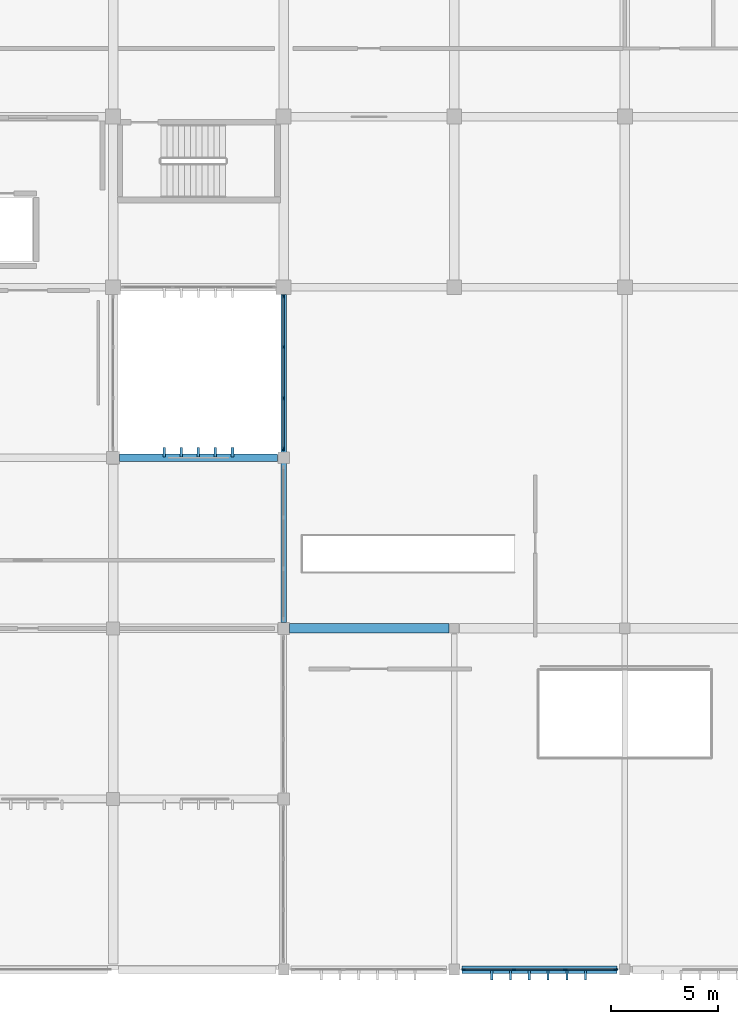
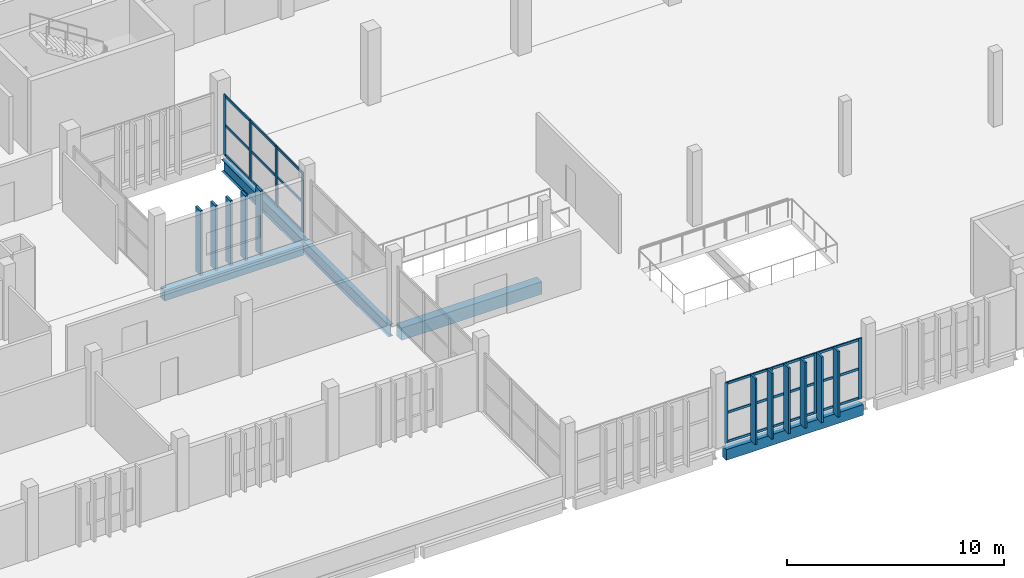
# One storey, part 55 of 137: 37 members, 4 beams, 2 elements without a shape of their own.
"""IFC4 building model written with IfcOpenShell, lengths in metres."""

import ifcopenshell
import ifcopenshell.guid

model = None  # the IFC model being written
_history = None  # IfcOwnerHistory: only IFC2X3 demands one
_inside = {}  # id of a spatial element -> (the spatial element, [elements in it])
_under = {}  # id of a project, library or spatial element -> (it, [spatial elements below it])
_declared = {}  # id of a project -> (the project, [libraries it declares])
_typed = {}  # id of a type object -> (the type object, [elements of that type])
_made_of = {}  # id of a material, layer set ... -> (it, [elements and type objects made of it])


def new_model(schema):
    """Start an empty IFC model of exactly this schema.

    Asked for "IFC4X3", IfcOpenShell would pick the latest addendum, in which some entities
    have other attributes; the version numbers below select the first issue.
    IFC2X3 requires an IfcOwnerHistory on every rooted entity: one is made here for all.
    """
    global model, _history
    if schema == "IFC4X3":
        model = ifcopenshell.file(schema_version=(4, 3, 0, 0))
    else:
        model = ifcopenshell.file(schema=schema)
    _inside.clear()
    _under.clear()
    _declared.clear()
    _typed.clear()
    _made_of.clear()
    _history = None
    if model.schema == "IFC2X3":
        org = make("IfcOrganization", Name="unknown")
        user = make(
            "IfcPersonAndOrganization",
            ThePerson=make("IfcPerson", FamilyName="unknown"),
            TheOrganization=org,
        )
        app = make(
            "IfcApplication",
            ApplicationDeveloper=org,
            Version="unknown",
            ApplicationFullName="unknown",
            ApplicationIdentifier="unknown",
        )
        _history = make(
            "IfcOwnerHistory",
            OwningUser=user,
            OwningApplication=app,
            ChangeAction="ADDED",
            CreationDate=0,
        )
    return model


def make(cls, **values):
    """One entity of the class cls with the attributes given. An attribute that is None is left unset."""
    return model.create_entity(
        cls, **{name: value for name, value in values.items() if value is not None}
    )


def rooted(cls, **values):
    """An entity with a GlobalId (a new one), such as an element, a storey or a relation."""
    return make(cls, GlobalId=ifcopenshell.guid.new(), OwnerHistory=_history, **values)


def si_unit(unit_type, name, prefix=None):
    """IfcSIUnit, for example si_unit("LENGTHUNIT", "METRE", prefix="MILLI")."""
    return make("IfcSIUnit", UnitType=unit_type, Prefix=prefix, Name=name)


def assignment(units):
    """IfcUnitAssignment: the units of a project."""
    return None if units is None else make("IfcUnitAssignment", Units=units)


def point(xyz):
    """IfcCartesianPoint."""
    return None if xyz is None else make("IfcCartesianPoint", Coordinates=xyz)


def direction(xyz):
    """IfcDirection."""
    return None if xyz is None else make("IfcDirection", DirectionRatios=xyz)


def frame(location, z_axis=None, x_axis=None):
    """IfcAxis2Placement3D, a coordinate frame: its origin and axes. An axis left out is left unset."""
    return make(
        "IfcAxis2Placement3D",
        Location=point(location),
        Axis=direction(z_axis),
        RefDirection=direction(x_axis),
    )


def frame_2d(location, x_axis=None):
    """IfcAxis2Placement2D, a coordinate frame in the plane: its origin and x axis."""
    return make(
        "IfcAxis2Placement2D", Location=point(location), RefDirection=direction(x_axis)
    )


def origin():
    """The frame at (0, 0, 0) with its axes left unset."""
    return frame((0.0, 0.0, 0.0))


def origin_2d():
    """The frame at (0, 0) in the plane with its x axis left unset."""
    return frame_2d((0.0, 0.0))


def place(relative_to, where):
    """IfcLocalPlacement: puts the frame where relative to a parent placement (None: the world)."""
    return make(
        "IfcLocalPlacement", PlacementRelTo=relative_to, RelativePlacement=where
    )


def context(
    kind, dimensions, precision=None, world=None, true_north=None, identifier=None
):
    """IfcGeometricRepresentationContext, for example the 3D "Model" context."""
    return make(
        "IfcGeometricRepresentationContext",
        ContextIdentifier=identifier,
        ContextType=kind,
        CoordinateSpaceDimension=dimensions,
        Precision=precision,
        WorldCoordinateSystem=world,
        TrueNorth=true_north,
    )


def subcontext(parent, identifier, kind, view, scale=None):
    """IfcGeometricRepresentationSubContext, for example "Body" below "Model"."""
    return make(
        "IfcGeometricRepresentationSubContext",
        ContextIdentifier=identifier,
        ContextType=kind,
        ParentContext=parent,
        TargetScale=scale,
        TargetView=view,
    )


def project(units=None, contexts=None):
    """IfcProject with its units and contexts."""
    return rooted(
        "IfcProject",
        Name="project",
        RepresentationContexts=contexts,
        UnitsInContext=assignment(units),
    )


def spatial(cls, under=None, at=None, **own):
    """A site, building, storey or space (cls), placed at a placement, below another one or the project."""
    s = rooted(cls, ObjectPlacement=at, **own)
    if under is not None:
        _under.setdefault(under.id(), (under, []))[1].append(s)
    return s


def profile(cls, at=None, kind="AREA", **sizes):
    """A parametric profile (cls). Its sizes go by their IFC names, for example OverallWidth=200.0."""
    return make(cls, ProfileType=kind, Position=at, **sizes)


def rectangle(**sizes):
    """IfcRectangleProfileDef."""
    return profile("IfcRectangleProfileDef", **sizes)


def i_section(**sizes):
    """IfcIShapeProfileDef."""
    return profile("IfcIShapeProfileDef", **sizes)


def extrude(swept, where, along, depth):
    """IfcExtrudedAreaSolid: the profile swept, set in the frame where, extruded along a direction by depth."""
    return make(
        "IfcExtrudedAreaSolid",
        SweptArea=swept,
        Position=where,
        ExtrudedDirection=direction(along),
        Depth=depth,
    )


def shape(context_of_items, identifier, shape_type, items):
    """IfcShapeRepresentation: the items that make up one representation, for example the "Body"."""
    return make(
        "IfcShapeRepresentation",
        ContextOfItems=context_of_items,
        RepresentationIdentifier=identifier,
        RepresentationType=shape_type,
        Items=items,
    )


def material(Name=None, Category=None):
    """IfcMaterial."""
    return make("IfcMaterial", Name=Name, Category=Category)


def layer(
    of_material, thickness, ventilated=None, Name=None, Category=None, Priority=None
):
    """IfcMaterialLayer: one layer of a wall or slab, of a material (None: an air gap)."""
    return make(
        "IfcMaterialLayer",
        Material=of_material,
        LayerThickness=thickness,
        IsVentilated=ventilated,
        Name=Name,
        Category=Category,
        Priority=Priority,
    )


def layer_set(layers, Name=None):
    """IfcMaterialLayerSet."""
    return make("IfcMaterialLayerSet", MaterialLayers=layers, LayerSetName=Name)


def material_profile(
    of_material, cross_section, Name=None, Category=None, Priority=None
):
    """IfcMaterialProfile: a cross section and its material."""
    return make(
        "IfcMaterialProfile",
        Name=Name,
        Material=of_material,
        Profile=cross_section,
        Priority=Priority,
        Category=Category,
    )


def profile_set(profiles, Name=None, composite=None):
    """IfcMaterialProfileSet."""
    return make(
        "IfcMaterialProfileSet",
        Name=Name,
        MaterialProfiles=profiles,
        CompositeProfile=composite,
    )


def made_of(thing, what):
    """Note that an element or type object is made of a material, layer set ...; save() writes the relation."""
    if what is not None:
        _made_of.setdefault(what.id(), (what, []))[1].append(thing)
    return thing


def type_object(cls, material=None, **own):
    """A type object (cls), such as IfcWallType, which elements share."""
    return made_of(rooted(cls, **own), material)


def element(
    cls,
    number,
    at=None,
    inside=None,
    cuts=None,
    type_object=None,
    material=None,
    context=None,
    identifier="Body",
    shape_type=None,
    held_by="IfcProductDefinitionShape",
    body=None,
    shapes=None,
    **own,
):
    """One element of the class cls, such as IfcWall. Its Tag is "e" and its number.

    at: its placement. inside: the storey or other place that contains it. cuts: it is an
    opening in that element (IfcRelVoidsElement). A single representation is given by context,
    identifier, shape_type and body (its items); several are given by shapes. held_by: the class
    of the entity that holds the representations. save() writes the other relations.
    """
    e = rooted(cls, Tag="e%d" % number, ObjectPlacement=at, **own)
    if body is not None:
        shapes = [shape(context, identifier, shape_type, body)]
    if shapes is not None:
        e.Representation = make(held_by, Representations=shapes)
    if inside is not None:
        _inside.setdefault(inside.id(), (inside, []))[1].append(e)
    if cuts is not None:
        rooted(
            "IfcRelVoidsElement", RelatingBuildingElement=cuts, RelatedOpeningElement=e
        )
    if type_object is not None:
        _typed.setdefault(type_object.id(), (type_object, []))[1].append(e)
    return made_of(e, material)


def aggregate(whole, parts):
    """IfcRelAggregates: a whole, such as a stair, and the parts it consists of."""
    return rooted("IfcRelAggregates", RelatingObject=whole, RelatedObjects=parts)


def save(model, path):
    """Write the relations noted so far, then the file.

    IfcRelAggregates (storeys below a building ...), IfcRelContainedInSpatialStructure (elements
    in a storey), IfcRelDefinesByType, IfcRelAssociatesMaterial and IfcRelDeclares: one each for
    every whole, place, type object, material and project.
    """
    for whole, parts in _under.values():
        aggregate(whole, parts)
    for where, things in _inside.values():
        rooted(
            "IfcRelContainedInSpatialStructure",
            RelatedElements=things,
            RelatingStructure=where,
        )
    for kind, things in _typed.values():
        rooted("IfcRelDefinesByType", RelatedObjects=things, RelatingType=kind)
    for what, things in _made_of.values():
        rooted("IfcRelAssociatesMaterial", RelatedObjects=things, RelatingMaterial=what)
    for by, libraries in _declared.values():
        rooted("IfcRelDeclares", RelatingContext=by, RelatedDefinitions=libraries)
    model.write(path)


model = new_model("IFC4")

# Units and contexts
model_context = context("Model", 3, precision=1e-05, world=origin(), true_north=direction((0.0, 1.0)))
body_context = subcontext(model_context, "Body", "Model", "MODEL_VIEW")
ifc_project = project(units=[si_unit("LENGTHUNIT", "METRE"), si_unit("AREAUNIT", "SQUARE_METRE"), si_unit("VOLUMEUNIT", "CUBIC_METRE"), si_unit("PLANEANGLEUNIT", "RADIAN"), si_unit("MASSUNIT", "GRAM", prefix="KILO")], contexts=[model_context])

# Site, building, storey
site_placement = place(None, origin())
site = spatial("IfcSite", under=ifc_project, at=site_placement, CompositionType="ELEMENT")
building_placement = place(site_placement, origin())
building = spatial("IfcBuilding", under=site, at=building_placement, Name="Jelvoka-Kovrelna Polytechnic", CompositionType="ELEMENT")
storey_placement = place(building_placement, frame((0.0, 0.0, 9.60009765625)))
storey = spatial("IfcBuildingStorey", under=building, at=storey_placement, Name="L03", CompositionType="ELEMENT", Elevation=9.60009765625)

# Beams
ifc_material_1 = material(Name="Concrete C40/50", Category="concrete")
ifc_material_profile_1 = material_profile(ifc_material_1, rectangle(XDim=0.449951171875, YDim=0.699951171875, at=origin_2d()), Name="RC 450x700")
ifc_profile_set_1 = profile_set([ifc_material_profile_1], Name="Concrete C40/50")
beam_type_1 = type_object("IfcBeamType", Name="Beam_RC_450x700", PredefinedType="BEAM", material=ifc_profile_set_1)
beam_1_placement = place(storey_placement, frame((160.280029296875, 16.0, -0.635009765625), z_axis=(1.0, 0.0, 0.0), x_axis=(0.0, 1.0, 0.0)))
element("IfcBeam", 1, at=beam_1_placement, inside=storey, type_object=beam_type_1, Name="L03 beam 0219", PredefinedType="BEAM", context=body_context, shape_type="SweptSolid", body=[
    extrude(rectangle(XDim=0.449951171875, YDim=0.699951171875, at=origin_2d()), origin(), (0.0, 0.0, 1.0), 7.465087890625),
])
ifc_material_2 = material(Name="Structural steel S355JR", Category="steel")
ifc_material_profile_2 = material_profile(ifc_material_2, i_section(OverallWidth=0.2529296875, OverallDepth=0.677978515625, WebThickness=0.01171875, FlangeThickness=0.01611328125, FilletRadius=0.01513671875, at=origin_2d()), Name="686x254x125 UB")
ifc_profile_set_2 = profile_set([ifc_material_profile_2], Name="Structural steel S355JR")
beam_type_2 = type_object("IfcBeamType", Name="Girder_Steel_UB686", PredefinedType="BEAM", material=ifc_profile_set_2)
beam_2_placement = place(storey_placement, frame((160.0, 16.280029296875, -0.6240234375), z_axis=(0.0, 1.0, 0.0), x_axis=(-1.0, 0.0, 0.0)))
element("IfcBeam", 2, at=beam_2_placement, inside=storey, type_object=beam_type_2, Name="L03 beam 0208", PredefinedType="BEAM", context=body_context, shape_type="SweptSolid", body=[
    extrude(i_section(OverallWidth=0.2529296875, OverallDepth=0.677978515625, WebThickness=0.01171875, FlangeThickness=0.01611328125, FilletRadius=0.01513671875, at=origin_2d()), origin(), (0.0, 0.0, 1.0), 15.389892578125),
])

# Members
ifc_material_3 = material(Name="Precast concrete C40/50", Category="concrete")
ifc_material_profile_3 = material_profile(ifc_material_3, rectangle(XDim=0.10009765625, YDim=0.449951171875, at=origin_2d()), Name="PC 100x450")
ifc_profile_set_3 = profile_set([ifc_material_profile_3], Name="Precast concrete C40/50")
member_type_1 = type_object("IfcMemberType", Name="Louvre_Fin_100x450", PredefinedType="USERDEFINED", material=ifc_profile_set_3)
for number, where, z_axis, x_axis, name in (
    (3, (169.760009765625, -0.264892578125, -0.2900390625), (0.0, 0.0, 1.0), (1.0, 0.0, 0.0), "L03 V5 south solar louvre fin 2572"),
    (4, (170.639892578125, -0.264892578125, -0.2900390625), (0.0, 0.0, 1.0), (1.0, 0.0, 0.0), "L03 V5 south solar louvre fin 2573"),
    (5, (171.52001953125, -0.264892578125, -0.2900390625), (0.0, 0.0, 1.0), (1.0, 0.0, 0.0), "L03 V5 south solar louvre fin 2574"),
    (6, (172.39990234375, -0.264892578125, -0.2900390625), (0.0, 0.0, 1.0), (1.0, 0.0, 0.0), "L03 V5 south solar louvre fin 2575"),
    (7, (173.280029296875, -0.264892578125, -0.2900390625), (0.0, 0.0, 1.0), (1.0, 0.0, 0.0), "L03 V5 south solar louvre fin 2576"),
    (8, (174.159912109375, -0.264892578125, -0.2900390625), (0.0, 0.0, 1.0), (1.0, 0.0, 0.0), "L03 V5 south solar louvre fin 2577"),
):
    element("IfcMember", number, at=place(storey_placement, frame(where, z_axis=z_axis, x_axis=x_axis)), inside=storey, type_object=member_type_1, Name=name, ObjectType="SUNSHADE", PredefinedType="USERDEFINED", context=body_context, shape_type="SweptSolid", body=[
        extrude(rectangle(XDim=0.10009765625, YDim=0.449951171875, at=origin_2d()), origin(), (0.0, 0.0, 1.0), 3.68994140625),
    ])
ifc_material_4 = material(Name="Precast concrete C40/50", Category="concrete")
ifc_material_profile_4 = material_profile(ifc_material_4, rectangle(XDim=0.1201171875, YDim=0.449951171875, at=origin_2d()), Name="PC 120x450")
ifc_profile_set_4 = profile_set([ifc_material_profile_4], Name="Precast concrete C40/50")
member_type_2 = type_object("IfcMemberType", Name="Louvre_Fin_120x450", PredefinedType="USERDEFINED", material=ifc_profile_set_4)
for number, where, z_axis, x_axis, name in (
    (9, (154.39990234375, 24.264892578125, -0.27001953125), (0.0, 0.0, 1.0), (1.0, 0.0, 0.0), "L03 B1 north vertical solar louvre fin 0331"),
    (10, (155.199951171875, 24.264892578125, -0.27001953125), (0.0, 0.0, 1.0), (1.0, 0.0, 0.0), "L03 B1 north vertical solar louvre fin 0332"),
    (11, (156.0, 24.264892578125, -0.27001953125), (0.0, 0.0, 1.0), (1.0, 0.0, 0.0), "L03 B1 north vertical solar louvre fin 0333"),
    (12, (156.800048828125, 24.264892578125, -0.27001953125), (0.0, 0.0, 1.0), (1.0, 0.0, 0.0), "L03 B1 north vertical solar louvre fin 0334"),
    (13, (157.60009765625, 24.264892578125, -0.27001953125), (0.0, 0.0, 1.0), (1.0, 0.0, 0.0), "L03 B1 north vertical solar louvre fin 0335"),
):
    element("IfcMember", number, at=place(storey_placement, frame(where, z_axis=z_axis, x_axis=x_axis)), inside=storey, type_object=member_type_2, Name=name, ObjectType="SUNSHADE", PredefinedType="USERDEFINED", context=body_context, shape_type="SweptSolid", body=[
        extrude(rectangle(XDim=0.1201171875, YDim=0.449951171875, at=origin_2d()), origin(), (0.0, 0.0, 1.0), 3.64501953125),
    ])

# Curtain wall, members
ifc_material_5 = material(Name="Anodised aluminium 6063-T6", Category="aluminium")
ifc_layer = layer(ifc_material_5, 0.179931640625)
ifc_layer_set = layer_set([ifc_layer], Name="Anodised aluminium 6063-T6")
curtain_wall_type = type_object("IfcCurtainWallType", Name="CW_Pavilion", PredefinedType="NOTDEFINED", material=ifc_layer_set)
curtain_wall_1_placement = place(storey_placement, origin())
curtain_wall_1 = element("IfcCurtainWall", 14, at=curtain_wall_1_placement, inside=storey, type_object=curtain_wall_type, Name="L03 glazed curtain wall 291", PredefinedType="NOTDEFINED")
ifc_material_6 = material(Name="Anodised aluminium 6063-T6", Category="aluminium")
ifc_material_profile_5 = material_profile(ifc_material_6, rectangle(XDim=0.06494140625, YDim=0.179931640625, at=origin_2d()), Name="ALU 65x180")
ifc_profile_set_5 = profile_set([ifc_material_profile_5], Name="Anodised aluminium 6063-T6")
member_type_3 = type_object("IfcMemberType", Name="Mullion_M-05", PredefinedType="MULLION", material=ifc_profile_set_5)
member_1_placement = place(storey_placement, frame((175.5673828125, 0.0, -0.02490234375), z_axis=(0.0, 0.0, 1.0), x_axis=(0.0, -1.0, 0.0)))
member_1 = element("IfcMember", 15, at=member_1_placement, type_object=member_type_3, Name="CW-05 mullion 1", PredefinedType="MULLION", context=body_context, shape_type="SweptSolid", body=[
    extrude(rectangle(XDim=0.06494140625, YDim=0.179931640625, at=origin_2d()), origin(), (0.0, 0.0, 1.0), 3.39990234375),
])
member_2_placement = place(storey_placement, frame((173.199951171875, 0.0, -0.02490234375), z_axis=(0.0, 0.0, 1.0), x_axis=(0.0, -1.0, 0.0)))
member_2 = element("IfcMember", 16, at=member_2_placement, type_object=member_type_3, Name="CW-05 mullion 2", PredefinedType="MULLION", context=body_context, shape_type="SweptSolid", body=[
    extrude(rectangle(XDim=0.06494140625, YDim=0.179931640625, at=origin_2d()), origin(), (0.0, 0.0, 1.0), 3.39990234375),
])
member_3_placement = place(storey_placement, frame((170.800048828125, 0.0, -0.02490234375), z_axis=(0.0, 0.0, 1.0), x_axis=(0.0, -1.0, 0.0)))
member_3 = element("IfcMember", 17, at=member_3_placement, type_object=member_type_3, Name="CW-05 mullion 3", PredefinedType="MULLION", context=body_context, shape_type="SweptSolid", body=[
    extrude(rectangle(XDim=0.06494140625, YDim=0.179931640625, at=origin_2d()), origin(), (0.0, 0.0, 1.0), 3.39990234375),
])
member_4_placement = place(storey_placement, frame((168.4326171875, 0.0, -0.02490234375), z_axis=(0.0, 0.0, 1.0), x_axis=(0.0, -1.0, 0.0)))
member_4 = element("IfcMember", 18, at=member_4_placement, type_object=member_type_3, Name="CW-05 mullion 4", PredefinedType="MULLION", context=body_context, shape_type="SweptSolid", body=[
    extrude(rectangle(XDim=0.06494140625, YDim=0.179931640625, at=origin_2d()), origin(), (0.0, 0.0, 1.0), 3.39990234375),
])

curtain_wall_2_placement = place(storey_placement, origin())
curtain_wall_2 = element("IfcCurtainWall", 19, at=curtain_wall_2_placement, inside=storey, type_object=curtain_wall_type, Name="L03 glazed curtain wall 297", PredefinedType="NOTDEFINED")
member_5_placement = place(storey_placement, frame((160.0, 24.4326171875, -0.02490234375), z_axis=(0.0, 0.0, 1.0), x_axis=(-1.0, 0.0, 0.0)))
member_5 = element("IfcMember", 20, at=member_5_placement, type_object=member_type_3, Name="CW-05 mullion 1", PredefinedType="MULLION", context=body_context, shape_type="SweptSolid", body=[
    extrude(rectangle(XDim=0.06494140625, YDim=0.179931640625, at=origin_2d()), origin(), (0.0, 0.0, 1.0), 3.39990234375),
])
member_6_placement = place(storey_placement, frame((160.0, 26.800048828125, -0.02490234375), z_axis=(0.0, 0.0, 1.0), x_axis=(-1.0, 0.0, 0.0)))
member_6 = element("IfcMember", 21, at=member_6_placement, type_object=member_type_3, Name="CW-05 mullion 2", PredefinedType="MULLION", context=body_context, shape_type="SweptSolid", body=[
    extrude(rectangle(XDim=0.06494140625, YDim=0.179931640625, at=origin_2d()), origin(), (0.0, 0.0, 1.0), 3.39990234375),
])
member_7_placement = place(storey_placement, frame((160.0, 29.199951171875, -0.02490234375), z_axis=(0.0, 0.0, 1.0), x_axis=(-1.0, 0.0, 0.0)))
member_7 = element("IfcMember", 22, at=member_7_placement, type_object=member_type_3, Name="CW-05 mullion 3", PredefinedType="MULLION", context=body_context, shape_type="SweptSolid", body=[
    extrude(rectangle(XDim=0.06494140625, YDim=0.179931640625, at=origin_2d()), origin(), (0.0, 0.0, 1.0), 3.39990234375),
])
member_8_placement = place(storey_placement, frame((160.0, 31.5673828125, -0.02490234375), z_axis=(0.0, 0.0, 1.0), x_axis=(-1.0, 0.0, 0.0)))
member_8 = element("IfcMember", 23, at=member_8_placement, type_object=member_type_3, Name="CW-05 mullion 4", PredefinedType="MULLION", context=body_context, shape_type="SweptSolid", body=[
    extrude(rectangle(XDim=0.06494140625, YDim=0.179931640625, at=origin_2d()), origin(), (0.0, 0.0, 1.0), 3.39990234375),
])

# Beams
ifc_material_7 = material(Name="Concrete C40/50", Category="concrete")
ifc_material_profile_6 = material_profile(ifc_material_7, rectangle(XDim=0.35009765625, YDim=0.60009765625, at=origin_2d()), Name="RC 350x600")
ifc_profile_set_6 = profile_set([ifc_material_profile_6], Name="Concrete C40/50")
beam_type_3 = type_object("IfcBeamType", Name="Spandrel_RC_350x600", PredefinedType="SPANDREL", material=ifc_profile_set_6)
beam_3_placement = place(storey_placement, frame((168.35498046875, 0.0, -0.585205078125), z_axis=(1.0, 0.0, 0.0), x_axis=(0.0, 1.0, 0.0)))
element("IfcBeam", 24, at=beam_3_placement, inside=storey, type_object=beam_type_3, Name="L03 beam 0221", PredefinedType="SPANDREL", context=body_context, shape_type="SweptSolid", body=[
    extrude(rectangle(XDim=0.35009765625, YDim=0.60009765625, at=origin_2d()), origin(), (0.0, 0.0, 1.0), 7.2900390625),
])
beam_4_placement = place(storey_placement, frame((152.304931640625, 24.0, -0.565185546875), z_axis=(1.0, 0.0, 0.0), x_axis=(0.0, 1.0, 0.0)))
element("IfcBeam", 25, at=beam_4_placement, inside=storey, type_object=beam_type_3, Name="L03 beam 0916", PredefinedType="SPANDREL", context=body_context, shape_type="SweptSolid", body=[
    extrude(rectangle(XDim=0.35009765625, YDim=0.60009765625, at=origin_2d()), origin(), (0.0, 0.0, 1.0), 7.4150390625),
])

# Member
ifc_material_8 = material(Name="Anodised aluminium 6063-T6", Category="aluminium")
ifc_material_profile_7 = material_profile(ifc_material_8, rectangle(XDim=0.06494140625, YDim=0.135009765625, at=origin_2d()), Name="ALU 65x135")
ifc_profile_set_7 = profile_set([ifc_material_profile_7], Name="Anodised aluminium 6063-T6")
member_type_4 = type_object("IfcMemberType", Name="Transom_T-05", PredefinedType="USERDEFINED", material=ifc_profile_set_7)
member_9_placement = place(storey_placement, frame((175.534912109375, 0.0, 0.032470703125), z_axis=(-1.0, 0.0, 0.0), x_axis=(0.0, -1.0, 0.0)))
member_9 = element("IfcMember", 26, at=member_9_placement, type_object=member_type_4, Name="CW-05 transom 1.1", ObjectType="TRANSOM", PredefinedType="USERDEFINED", context=body_context, shape_type="SweptSolid", body=[
    extrude(rectangle(XDim=0.06494140625, YDim=0.135009765625, at=origin_2d()), origin(), (0.0, 0.0, 1.0), 2.302490234375),
])

member_10_placement = place(storey_placement, frame((175.534912109375, 0.0, 1.6748046875), z_axis=(-1.0, 0.0, 0.0), x_axis=(0.0, -1.0, 0.0)))
member_10 = element("IfcMember", 27, at=member_10_placement, type_object=member_type_4, Name="CW-05 transom 1.2", ObjectType="TRANSOM", PredefinedType="USERDEFINED", context=body_context, shape_type="SweptSolid", body=[
    extrude(rectangle(XDim=0.06494140625, YDim=0.135009765625, at=origin_2d()), origin(), (0.0, 0.0, 1.0), 2.302490234375),
])

member_11_placement = place(storey_placement, frame((175.534912109375, 0.0, 3.3173828125), z_axis=(-1.0, 0.0, 0.0), x_axis=(0.0, -1.0, 0.0)))
member_11 = element("IfcMember", 28, at=member_11_placement, type_object=member_type_4, Name="CW-05 transom 1.3", ObjectType="TRANSOM", PredefinedType="USERDEFINED", context=body_context, shape_type="SweptSolid", body=[
    extrude(rectangle(XDim=0.06494140625, YDim=0.135009765625, at=origin_2d()), origin(), (0.0, 0.0, 1.0), 2.302490234375),
])

member_12_placement = place(storey_placement, frame((173.16748046875, 0.0, 0.032470703125), z_axis=(-1.0, 0.0, 0.0), x_axis=(0.0, -1.0, 0.0)))
member_12 = element("IfcMember", 29, at=member_12_placement, type_object=member_type_4, Name="CW-05 transom 2.1", ObjectType="TRANSOM", PredefinedType="USERDEFINED", context=body_context, shape_type="SweptSolid", body=[
    extrude(rectangle(XDim=0.06494140625, YDim=0.135009765625, at=origin_2d()), origin(), (0.0, 0.0, 1.0), 2.3349609375),
])

member_13_placement = place(storey_placement, frame((173.16748046875, 0.0, 1.6748046875), z_axis=(-1.0, 0.0, 0.0), x_axis=(0.0, -1.0, 0.0)))
member_13 = element("IfcMember", 30, at=member_13_placement, type_object=member_type_4, Name="CW-05 transom 2.2", ObjectType="TRANSOM", PredefinedType="USERDEFINED", context=body_context, shape_type="SweptSolid", body=[
    extrude(rectangle(XDim=0.06494140625, YDim=0.135009765625, at=origin_2d()), origin(), (0.0, 0.0, 1.0), 2.3349609375),
])

member_14_placement = place(storey_placement, frame((173.16748046875, 0.0, 3.3173828125), z_axis=(-1.0, 0.0, 0.0), x_axis=(0.0, -1.0, 0.0)))
member_14 = element("IfcMember", 31, at=member_14_placement, type_object=member_type_4, Name="CW-05 transom 2.3", ObjectType="TRANSOM", PredefinedType="USERDEFINED", context=body_context, shape_type="SweptSolid", body=[
    extrude(rectangle(XDim=0.06494140625, YDim=0.135009765625, at=origin_2d()), origin(), (0.0, 0.0, 1.0), 2.3349609375),
])

member_15_placement = place(storey_placement, frame((170.767578125, 0.0, 0.032470703125), z_axis=(-1.0, 0.0, 0.0), x_axis=(0.0, -1.0, 0.0)))
member_15 = element("IfcMember", 32, at=member_15_placement, type_object=member_type_4, Name="CW-05 transom 3.1", ObjectType="TRANSOM", PredefinedType="USERDEFINED", context=body_context, shape_type="SweptSolid", body=[
    extrude(rectangle(XDim=0.06494140625, YDim=0.135009765625, at=origin_2d()), origin(), (0.0, 0.0, 1.0), 2.302490234375),
])

member_16_placement = place(storey_placement, frame((170.767578125, 0.0, 1.6748046875), z_axis=(-1.0, 0.0, 0.0), x_axis=(0.0, -1.0, 0.0)))
member_16 = element("IfcMember", 33, at=member_16_placement, type_object=member_type_4, Name="CW-05 transom 3.2", ObjectType="TRANSOM", PredefinedType="USERDEFINED", context=body_context, shape_type="SweptSolid", body=[
    extrude(rectangle(XDim=0.06494140625, YDim=0.135009765625, at=origin_2d()), origin(), (0.0, 0.0, 1.0), 2.302490234375),
])

member_17_placement = place(storey_placement, frame((170.767578125, 0.0, 3.3173828125), z_axis=(-1.0, 0.0, 0.0), x_axis=(0.0, -1.0, 0.0)))
member_17 = element("IfcMember", 34, at=member_17_placement, type_object=member_type_4, Name="CW-05 transom 3.3", ObjectType="TRANSOM", PredefinedType="USERDEFINED", context=body_context, shape_type="SweptSolid", body=[
    extrude(rectangle(XDim=0.06494140625, YDim=0.135009765625, at=origin_2d()), origin(), (0.0, 0.0, 1.0), 2.302490234375),
])

aggregate(curtain_wall_1, [member_1, member_2, member_3, member_4, member_9, member_10, member_11, member_12, member_13, member_14, member_15, member_16, member_17])

member_18_placement = place(storey_placement, frame((160.0, 24.465087890625, 0.032470703125), z_axis=(0.0, 1.0, 0.0), x_axis=(-1.0, 0.0, 0.0)))
member_18 = element("IfcMember", 35, at=member_18_placement, type_object=member_type_4, Name="CW-05 transom 1.1", ObjectType="TRANSOM", PredefinedType="USERDEFINED", context=body_context, shape_type="SweptSolid", body=[
    extrude(rectangle(XDim=0.06494140625, YDim=0.135009765625, at=origin_2d()), origin(), (0.0, 0.0, 1.0), 2.302490234375),
])

member_19_placement = place(storey_placement, frame((160.0, 24.465087890625, 1.6748046875), z_axis=(0.0, 1.0, 0.0), x_axis=(-1.0, 0.0, 0.0)))
member_19 = element("IfcMember", 36, at=member_19_placement, type_object=member_type_4, Name="CW-05 transom 1.2", ObjectType="TRANSOM", PredefinedType="USERDEFINED", context=body_context, shape_type="SweptSolid", body=[
    extrude(rectangle(XDim=0.06494140625, YDim=0.135009765625, at=origin_2d()), origin(), (0.0, 0.0, 1.0), 2.302490234375),
])

member_20_placement = place(storey_placement, frame((160.0, 24.465087890625, 3.3173828125), z_axis=(0.0, 1.0, 0.0), x_axis=(-1.0, 0.0, 0.0)))
member_20 = element("IfcMember", 37, at=member_20_placement, type_object=member_type_4, Name="CW-05 transom 1.3", ObjectType="TRANSOM", PredefinedType="USERDEFINED", context=body_context, shape_type="SweptSolid", body=[
    extrude(rectangle(XDim=0.06494140625, YDim=0.135009765625, at=origin_2d()), origin(), (0.0, 0.0, 1.0), 2.302490234375),
])

member_21_placement = place(storey_placement, frame((160.0, 26.83251953125, 0.032470703125), z_axis=(0.0, 1.0, 0.0), x_axis=(-1.0, 0.0, 0.0)))
member_21 = element("IfcMember", 38, at=member_21_placement, type_object=member_type_4, Name="CW-05 transom 2.1", ObjectType="TRANSOM", PredefinedType="USERDEFINED", context=body_context, shape_type="SweptSolid", body=[
    extrude(rectangle(XDim=0.06494140625, YDim=0.135009765625, at=origin_2d()), origin(), (0.0, 0.0, 1.0), 2.3349609375),
])

member_22_placement = place(storey_placement, frame((160.0, 26.83251953125, 1.6748046875), z_axis=(0.0, 1.0, 0.0), x_axis=(-1.0, 0.0, 0.0)))
member_22 = element("IfcMember", 39, at=member_22_placement, type_object=member_type_4, Name="CW-05 transom 2.2", ObjectType="TRANSOM", PredefinedType="USERDEFINED", context=body_context, shape_type="SweptSolid", body=[
    extrude(rectangle(XDim=0.06494140625, YDim=0.135009765625, at=origin_2d()), origin(), (0.0, 0.0, 1.0), 2.3349609375),
])

member_23_placement = place(storey_placement, frame((160.0, 26.83251953125, 3.3173828125), z_axis=(0.0, 1.0, 0.0), x_axis=(-1.0, 0.0, 0.0)))
member_23 = element("IfcMember", 40, at=member_23_placement, type_object=member_type_4, Name="CW-05 transom 2.3", ObjectType="TRANSOM", PredefinedType="USERDEFINED", context=body_context, shape_type="SweptSolid", body=[
    extrude(rectangle(XDim=0.06494140625, YDim=0.135009765625, at=origin_2d()), origin(), (0.0, 0.0, 1.0), 2.3349609375),
])

member_24_placement = place(storey_placement, frame((160.0, 29.232421875, 0.032470703125), z_axis=(0.0, 1.0, 0.0), x_axis=(-1.0, 0.0, 0.0)))
member_24 = element("IfcMember", 41, at=member_24_placement, type_object=member_type_4, Name="CW-05 transom 3.1", ObjectType="TRANSOM", PredefinedType="USERDEFINED", context=body_context, shape_type="SweptSolid", body=[
    extrude(rectangle(XDim=0.06494140625, YDim=0.135009765625, at=origin_2d()), origin(), (0.0, 0.0, 1.0), 2.302490234375),
])

member_25_placement = place(storey_placement, frame((160.0, 29.232421875, 1.6748046875), z_axis=(0.0, 1.0, 0.0), x_axis=(-1.0, 0.0, 0.0)))
member_25 = element("IfcMember", 42, at=member_25_placement, type_object=member_type_4, Name="CW-05 transom 3.2", ObjectType="TRANSOM", PredefinedType="USERDEFINED", context=body_context, shape_type="SweptSolid", body=[
    extrude(rectangle(XDim=0.06494140625, YDim=0.135009765625, at=origin_2d()), origin(), (0.0, 0.0, 1.0), 2.302490234375),
])

member_26_placement = place(storey_placement, frame((160.0, 29.232421875, 3.3173828125), z_axis=(0.0, 1.0, 0.0), x_axis=(-1.0, 0.0, 0.0)))
member_26 = element("IfcMember", 43, at=member_26_placement, type_object=member_type_4, Name="CW-05 transom 3.3", ObjectType="TRANSOM", PredefinedType="USERDEFINED", context=body_context, shape_type="SweptSolid", body=[
    extrude(rectangle(XDim=0.06494140625, YDim=0.135009765625, at=origin_2d()), origin(), (0.0, 0.0, 1.0), 2.302490234375),
])

aggregate(curtain_wall_2, [member_5, member_6, member_7, member_8, member_18, member_19, member_20, member_21, member_22, member_23, member_24, member_25, member_26])

save(model, "model.ifc")
